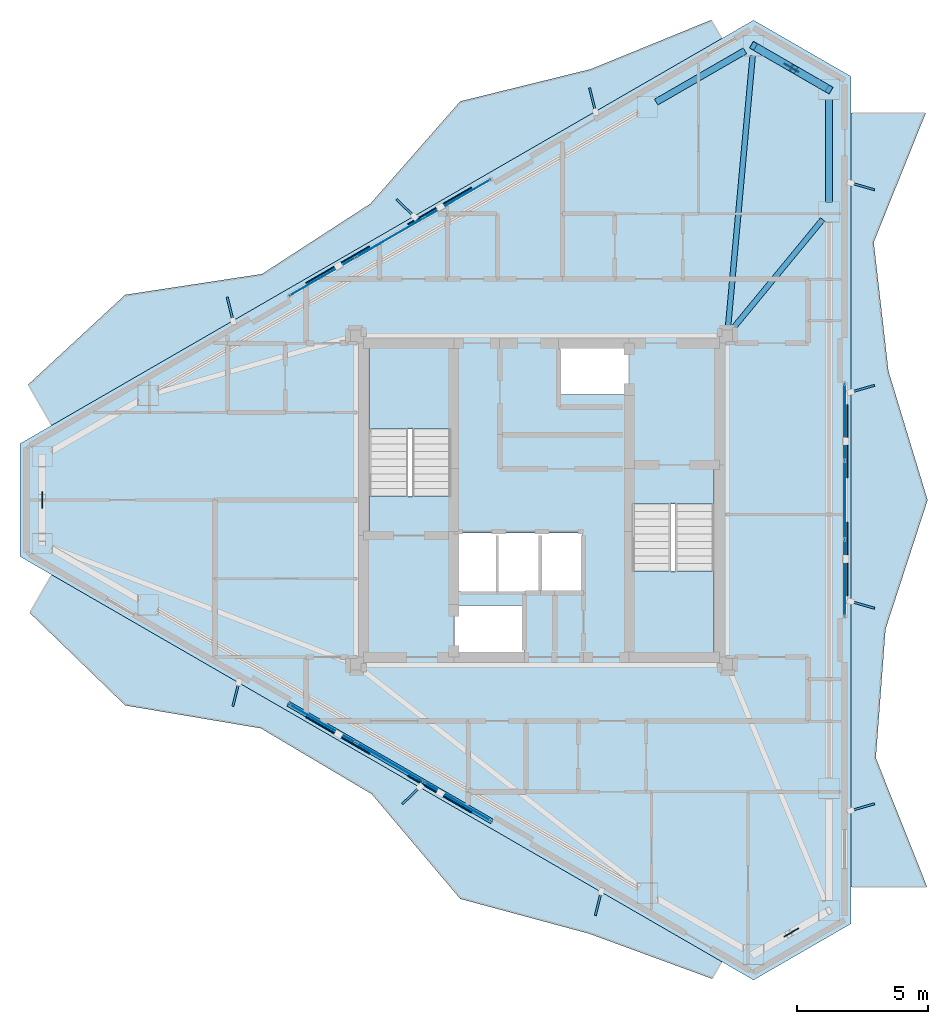
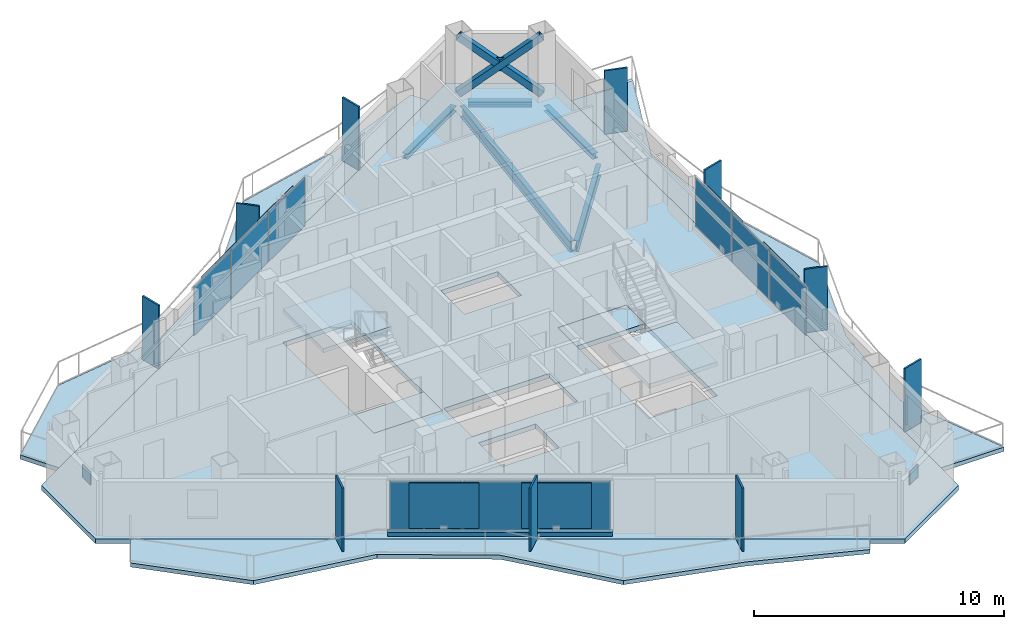
# One storey, part 15 of 22: 28 plates, 8 slabs, 5 beams, 3 members, 1 wall, 5 elements without a shape of their own.
"""IFC4 building model written with IfcOpenShell, lengths in metres."""

from ifc_helpers import new_model, si_unit, direction, frame, frame_2d, origin, origin_2d, place, context, subcontext, project, spatial, polyline, rectangle, hollow_rectangle, i_section, outline, extrude, material, layer, layer_set, material_profile, profile_set, type_object, element, aggregate, save


model = new_model("IFC4")

# Units and contexts
model_context = context("Model", 3, precision=1e-05, world=origin(), true_north=direction((0.0, 1.0)))
body_context = subcontext(model_context, "Body", "Model", "MODEL_VIEW")
ifc_project = project(units=[si_unit("LENGTHUNIT", "METRE"), si_unit("AREAUNIT", "SQUARE_METRE"), si_unit("VOLUMEUNIT", "CUBIC_METRE"), si_unit("PLANEANGLEUNIT", "RADIAN"), si_unit("MASSUNIT", "GRAM", prefix="KILO")], contexts=[model_context])

# Site, building, storey
site_placement = place(None, origin())
site = spatial("IfcSite", under=ifc_project, at=site_placement, CompositionType="ELEMENT")
building_placement = place(site_placement, origin())
building = spatial("IfcBuilding", under=site, at=building_placement, Name="Mersakhor Tower and Convention Hall", CompositionType="ELEMENT")
storey_placement = place(building_placement, frame((0.0, 0.0, 201.89990234375)))
storey = spatial("IfcBuildingStorey", under=building, at=storey_placement, Name="L56", CompositionType="ELEMENT", Elevation=201.89990234375)

# Beams
ifc_material_1 = material(Name="Steel S355", Category="steel")
ifc_material_profile_1 = material_profile(ifc_material_1, i_section(OverallWidth=0.2099609375, OverallDepth=0.53662109375, WebThickness=0.0107421875, FlangeThickness=0.017333984375, at=origin_2d()), Name="UB 533x210x101")
ifc_profile_set_1 = profile_set([ifc_material_profile_1], Name="Steel S355")
beam_type_1 = type_object("IfcBeamType", Name="BM-FB-533", PredefinedType="BEAM", material=ifc_profile_set_1)
beam_1_placement = place(storey_placement, frame((36.125244140625, 33.328857421875, -0.498291015625), z_axis=(0.090367269821, 0.99590850812, 0.0), x_axis=(-0.99590850812, 0.090367269821, 0.0)))
element("IfcBeam", 1, at=beam_1_placement, inside=storey, type_object=beam_type_1, Name="L56 Primary Floor Girder FG-2", PredefinedType="BEAM", context=body_context, shape_type="SweptSolid", body=[
    extrude(i_section(OverallWidth=0.2099609375, OverallDepth=0.53662109375, WebThickness=0.0107421875, FlangeThickness=0.017333984375, at=origin_2d()), origin(), (0.0, 0.0, 1.0), 10.45263671875),
])
beam_2_placement = place(storey_placement, frame((36.278076171875, 33.26611328125, -0.498291015625), z_axis=(0.635588076211, 0.772028365657, 0.0), x_axis=(-0.772028365657, 0.635588076211, 0.0)))
element("IfcBeam", 2, at=beam_2_placement, inside=storey, type_object=beam_type_1, Name="L56 Primary Floor Girder FG-3", PredefinedType="BEAM", context=body_context, shape_type="SweptSolid", body=[
    extrude(i_section(OverallWidth=0.2099609375, OverallDepth=0.53662109375, WebThickness=0.0107421875, FlangeThickness=0.017333984375, at=origin_2d()), origin(), (0.0, 0.0, 1.0), 5.45751953125),
])
ifc_material_2 = material(Name="Steel S355", Category="steel")
ifc_material_profile_2 = material_profile(ifc_material_2, i_section(OverallWidth=0.25634765625, OverallDepth=0.26025390625, WebThickness=0.01025390625, FlangeThickness=0.017333984375, at=origin_2d()), Name="UC 254x254x89")
ifc_profile_set_2 = profile_set([ifc_material_profile_2], Name="Steel S355")
beam_type_2 = type_object("IfcBeamType", Name="BM-SPD-UC254", PredefinedType="SPANDREL", material=ifc_profile_set_2)
beam_3_placement = place(storey_placement, frame((33.380859375, 41.967529296875, -0.360107421875), z_axis=(0.866007153761, 0.500031608635, 0.0), x_axis=(-0.500031608635, 0.866007153761, 0.0)))
element("IfcBeam", 3, at=beam_3_placement, inside=storey, type_object=beam_type_2, Name="L56 Perimeter Spandrel Beam SPB-03", PredefinedType="SPANDREL", context=body_context, shape_type="SweptSolid", body=[
    extrude(i_section(OverallWidth=0.25634765625, OverallDepth=0.26025390625, WebThickness=0.01025390625, FlangeThickness=0.017333984375, at=origin_2d()), origin(), (0.0, 0.0, 1.0), 3.919189453125),
])
beam_4_placement = place(storey_placement, frame((37.43310546875, 43.92724609375, -0.360107421875), z_axis=(0.866036909293, -0.499980071345, 0.0), x_axis=(0.499980071345, 0.866036909293, 0.0)))
element("IfcBeam", 4, at=beam_4_placement, inside=storey, type_object=beam_type_2, Name="L56 Perimeter Spandrel Beam SPB-04", PredefinedType="SPANDREL", context=body_context, shape_type="SweptSolid", body=[
    extrude(i_section(OverallWidth=0.25634765625, OverallDepth=0.26025390625, WebThickness=0.01025390625, FlangeThickness=0.017333984375, at=origin_2d()), origin(), (0.0, 0.0, 1.0), 2.5703125),
])
beam_5_placement = place(storey_placement, frame((39.98828125, 42.072021484375, -0.360107421875), z_axis=(0.0, -1.0, 0.0), x_axis=(1.0, 0.0, 0.0)))
element("IfcBeam", 5, at=beam_5_placement, inside=storey, type_object=beam_type_2, Name="L56 Perimeter Spandrel Beam SPB-05", PredefinedType="SPANDREL", context=body_context, shape_type="SweptSolid", body=[
    extrude(i_section(OverallWidth=0.25634765625, OverallDepth=0.26025390625, WebThickness=0.01025390625, FlangeThickness=0.017333984375, at=origin_2d()), origin(), (0.0, 0.0, 1.0), 3.919189453125),
])

# Members
ifc_material_3 = material(Name="Steel S355", Category="steel")
ifc_material_profile_3 = material_profile(ifc_material_3, hollow_rectangle(XDim=0.300048828125, YDim=0.300048828125, WallThickness=0.01611328125, at=origin_2d()), Name="SHS 300x300x16")
ifc_profile_set_3 = profile_set([ifc_material_profile_3], Name="Steel S355")
member_type = type_object("IfcMemberType", Name="MB-BRC-SHS300", PredefinedType="BRACE", material=ifc_profile_set_3)
member_1_placement = place(storey_placement, frame((37.10400390625, 44.1171875, 0.150146484375), z_axis=(0.665824923443, -0.384424564314, 0.639448923429), x_axis=(0.50001011158, 0.866019565782, 0.0)))
element("IfcMember", 6, at=member_1_placement, inside=storey, type_object=member_type, Name="L56 Chamfer Braced Frame Diagonal CB-1A", PredefinedType="BRACE", context=body_context, shape_type="SweptSolid", body=[
    extrude(hollow_rectangle(XDim=0.300048828125, YDim=0.300048828125, WallThickness=0.01611328125, at=origin_2d()), origin(), (0.0, 0.0, 1.0), 4.331787109375),
])
member_2_placement = place(storey_placement, frame((39.98828125, 42.451904296875, 0.150146484375), z_axis=(-0.665763296387, 0.384506307606, 0.639463941592), x_axis=(-0.500124558158, -0.865953478154, 0.0)))
element("IfcMember", 7, at=member_2_placement, inside=storey, type_object=member_type, Name="L56 Chamfer Braced Frame Diagonal CB-1B Lower Half", PredefinedType="BRACE", context=body_context, shape_type="SweptSolid", body=[
    extrude(hollow_rectangle(XDim=0.300048828125, YDim=0.300048828125, WallThickness=0.01611328125, at=origin_2d()), origin(), (0.0, 0.0, 1.0), 2.005126953125),
])
member_3_placement = place(storey_placement, frame((38.439208984375, 43.34619140625, 1.6376953125), z_axis=(-0.665779245823, 0.384445210881, 0.639484069905), x_axis=(-0.50005597947, -0.86599308161, 0.0)))
element("IfcMember", 8, at=member_3_placement, inside=storey, type_object=member_type, Name="L56 Chamfer Braced Frame Diagonal CB-1B Upper Half", PredefinedType="BRACE", context=body_context, shape_type="SweptSolid", body=[
    extrude(hollow_rectangle(XDim=0.300048828125, YDim=0.300048828125, WallThickness=0.01611328125, at=origin_2d()), origin(), (0.0, 0.0, 1.0), 2.00537109375),
])

# Curtain wall, plates
ifc_material_4 = material(Name="Dark solar low-E aluminium curtain wall", Category="aluminium")
ifc_layer_1 = layer(ifc_material_4, 0.169921875)
ifc_layer_set_1 = layer_set([ifc_layer_1], Name="Dark solar low-E aluminium curtain wall")
curtain_wall_type = type_object("IfcCurtainWallType", Name="CW-SYS-02", PredefinedType="USERDEFINED", material=ifc_layer_set_1)
curtain_wall_1_placement = place(storey_placement, origin())
curtain_wall_1 = element("IfcCurtainWall", 9, at=curtain_wall_1_placement, inside=storey, type_object=curtain_wall_type, Name="L56 Dark-Glass Curtain Wall F1-B2", ObjectType="CURTAIN WALL", PredefinedType="USERDEFINED")
ifc_material_5 = material(Name="Dark solar double glazing", Category="glass")
ifc_layer_2 = layer(ifc_material_5, 0.028076171875)
ifc_layer_set_2 = layer_set([ifc_layer_2], Name="Dark solar double glazing")
plate_type_1 = type_object("IfcPlateType", Name="CWP-GLZ-28", PredefinedType="CURTAIN_PANEL", material=ifc_layer_set_2)
plate_1_placement = place(storey_placement, frame((20.624267578125, 35.29541015625, 0.260009765625), z_axis=(0.0, 0.0, 1.0), x_axis=(0.86602088627, 0.500007824483, 0.0)))
plate_1 = element("IfcPlate", 10, at=plate_1_placement, type_object=plate_type_1, Name="CW-02 panel 1.1", PredefinedType="CURTAIN_PANEL", context=body_context, shape_type="SweptSolid", body=[
    extrude(rectangle(XDim=2.88720703125, YDim=0.028076171875, at=origin_2d()), origin(), (0.0, 0.0, 1.0), 2.3701171875),
])
plate_2_placement = place(storey_placement, frame((23.205810546875, 36.785888671875, 0.260009765625), z_axis=(0.0, 0.0, 1.0), x_axis=(0.86602088627, 0.500007824483, 0.0)))
plate_2 = element("IfcPlate", 11, at=plate_2_placement, type_object=plate_type_1, Name="CW-02 panel 2.1", PredefinedType="CURTAIN_PANEL", context=body_context, shape_type="SweptSolid", body=[
    extrude(rectangle(XDim=2.924560546875, YDim=0.028076171875, at=origin_2d()), origin(), (0.0, 0.0, 1.0), 2.3701171875),
])
plate_3_placement = place(storey_placement, frame((25.787353515625, 38.2763671875, 0.260009765625), z_axis=(0.0, 0.0, 1.0), x_axis=(0.86602088627, 0.500007824483, 0.0)))
plate_3 = element("IfcPlate", 12, at=plate_3_placement, type_object=plate_type_1, Name="CW-02 panel 3.1", PredefinedType="CURTAIN_PANEL", context=body_context, shape_type="SweptSolid", body=[
    extrude(rectangle(XDim=2.88720703125, YDim=0.028076171875, at=origin_2d()), origin(), (0.0, 0.0, 1.0), 2.3701171875),
])
aggregate(curtain_wall_1, [plate_1, plate_2, plate_3])

curtain_wall_2_placement = place(storey_placement, origin())
curtain_wall_2 = element("IfcCurtainWall", 13, at=curtain_wall_2_placement, inside=storey, type_object=curtain_wall_type, Name="L56 Dark-Glass Curtain Wall F2-B2", ObjectType="CURTAIN WALL", PredefinedType="USERDEFINED")
plate_4_placement = place(storey_placement, frame((40.58837890625, 29.73095703125, 0.260009765625), z_axis=(0.0, 0.0, 1.0), x_axis=(0.0, -1.0, 0.0)))
plate_4 = element("IfcPlate", 14, at=plate_4_placement, type_object=plate_type_1, Name="CW-02 panel 1.1", PredefinedType="CURTAIN_PANEL", context=body_context, shape_type="SweptSolid", body=[
    extrude(rectangle(XDim=2.88720703125, YDim=0.028076171875, at=origin_2d()), origin(), (0.0, 0.0, 1.0), 2.3701171875),
])
plate_5_placement = place(storey_placement, frame((40.58837890625, 26.75, 0.260009765625), z_axis=(0.0, 0.0, 1.0), x_axis=(0.0, -1.0, 0.0)))
plate_5 = element("IfcPlate", 15, at=plate_5_placement, type_object=plate_type_1, Name="CW-02 panel 2.1", PredefinedType="CURTAIN_PANEL", context=body_context, shape_type="SweptSolid", body=[
    extrude(rectangle(XDim=2.924560546875, YDim=0.028076171875, at=origin_2d()), origin(), (0.0, 0.0, 1.0), 2.3701171875),
])
plate_6_placement = place(storey_placement, frame((40.58837890625, 23.76904296875, 0.260009765625), z_axis=(0.0, 0.0, 1.0), x_axis=(0.0, -1.0, 0.0)))
plate_6 = element("IfcPlate", 16, at=plate_6_placement, type_object=plate_type_1, Name="CW-02 panel 3.1", PredefinedType="CURTAIN_PANEL", context=body_context, shape_type="SweptSolid", body=[
    extrude(rectangle(XDim=2.88720703125, YDim=0.028076171875, at=origin_2d()), origin(), (0.0, 0.0, 1.0), 2.3701171875),
])
aggregate(curtain_wall_2, [plate_4, plate_5, plate_6])

curtain_wall_3_placement = place(storey_placement, origin())
curtain_wall_3 = element("IfcCurtainWall", 17, at=curtain_wall_3_placement, inside=storey, type_object=curtain_wall_type, Name="L56 Dark-Glass Curtain Wall F3-B2", ObjectType="CURTAIN WALL", PredefinedType="USERDEFINED")
plate_7_placement = place(storey_placement, frame((25.787353515625, 15.2236328125, 0.260009765625), z_axis=(0.0, 0.0, 1.0), x_axis=(-0.86602088627, 0.500007824483, 0.0)))
plate_7 = element("IfcPlate", 18, at=plate_7_placement, type_object=plate_type_1, Name="CW-02 panel 1.1", PredefinedType="CURTAIN_PANEL", context=body_context, shape_type="SweptSolid", body=[
    extrude(rectangle(XDim=2.88720703125, YDim=0.028076171875, at=origin_2d()), origin(), (0.0, 0.0, 1.0), 2.3701171875),
])
plate_8_placement = place(storey_placement, frame((23.205810546875, 16.714111328125, 0.260009765625), z_axis=(0.0, 0.0, 1.0), x_axis=(-0.86602088627, 0.500007824483, 0.0)))
plate_8 = element("IfcPlate", 19, at=plate_8_placement, type_object=plate_type_1, Name="CW-02 panel 2.1", PredefinedType="CURTAIN_PANEL", context=body_context, shape_type="SweptSolid", body=[
    extrude(rectangle(XDim=2.924560546875, YDim=0.028076171875, at=origin_2d()), origin(), (0.0, 0.0, 1.0), 2.3701171875),
])
plate_9_placement = place(storey_placement, frame((20.624267578125, 18.20458984375, 0.260009765625), z_axis=(0.0, 0.0, 1.0), x_axis=(-0.86602088627, 0.500007824483, 0.0)))
plate_9 = element("IfcPlate", 20, at=plate_9_placement, type_object=plate_type_1, Name="CW-02 panel 3.1", PredefinedType="CURTAIN_PANEL", context=body_context, shape_type="SweptSolid", body=[
    extrude(rectangle(XDim=2.88720703125, YDim=0.028076171875, at=origin_2d()), origin(), (0.0, 0.0, 1.0), 2.3701171875),
])
aggregate(curtain_wall_3, [plate_7, plate_8, plate_9])

# Plates
ifc_material_6 = material(Name="Ceramic-clad aluminium Zone 4 terracotta-coral", Category="masonry")
ifc_material_7 = material(Name="Ceramic-clad aluminium Zone 1 cobalt-slate", Category="masonry")
ifc_layer_3 = layer(ifc_material_7, 0.080078125)
ifc_layer_set_3 = layer_set([ifc_layer_3], Name="Ceramic-clad aluminium Zone 1 cobalt-slate")
plate_type_2 = type_object("IfcPlateType", Name="PL-FIN-80", PredefinedType="USERDEFINED", material=ifc_layer_set_3)
for number, where, z_axis, x_axis, name in (
    (21, (17.09326171875, 34.049560546875, 0.0), (0.0, 0.0, 1.0), (-0.2419218956, 0.970295726276, 0.0), "L56 Zone 4 Coloured Brise-Soleil Fin F1-1"),
    (22, (23.794677734375, 37.918701171875, 0.0), (0.0, 0.0, 1.0), (-0.719339800339, 0.694658370459, 0.0), "L56 Zone 4 Coloured Brise-Soleil Fin F1-2"),
    (23, (30.94970703125, 42.049560546875, 0.0), (0.0, 0.0, 1.0), (-0.2419218956, 0.970295726276, 0.0), "L56 Zone 4 Coloured Brise-Soleil Fin F1-3"),
    (24, (41.27490234375, 38.7451171875, 0.0), (0.0, 0.0, 1.0), (0.961261695938, -0.275637355817, 0.0), "L56 Zone 4 Coloured Brise-Soleil Fin F2-1"),
    (25, (41.27490234375, 31.007080078125, 0.0), (0.0, 0.0, 1.0), (0.961261695938, 0.275637355817, 0.0), "L56 Zone 4 Coloured Brise-Soleil Fin F2-2"),
    (26, (41.27490234375, 22.7451171875, 0.0), (0.0, 0.0, 1.0), (0.961261695938, -0.275637355817, 0.0), "L56 Zone 4 Coloured Brise-Soleil Fin F2-3"),
    (27, (41.27490234375, 15.007080078125, 0.0), (0.0, 0.0, 1.0), (0.961261695938, 0.275637355817, 0.0), "L56 Zone 4 Coloured Brise-Soleil Fin F2-4"),
    (28, (31.16796875, 11.324462890625, 0.0), (0.0, 0.0, 1.0), (-0.2419218956, -0.970295726276, 0.0), "L56 Zone 4 Coloured Brise-Soleil Fin F3-1"),
    (29, (24.012939453125, 15.455322265625, 0.0), (0.0, 0.0, 1.0), (-0.719339800339, -0.694658370459, 0.0), "L56 Zone 4 Coloured Brise-Soleil Fin F3-2"),
    (30, (17.3115234375, 19.324462890625, 0.0), (0.0, 0.0, 1.0), (-0.2419218956, -0.970295726276, 0.0), "L56 Zone 4 Coloured Brise-Soleil Fin F3-3"),
):
    element("IfcPlate", number, at=place(storey_placement, frame(where, z_axis=z_axis, x_axis=x_axis)), inside=storey, type_object=plate_type_2, material=ifc_material_6, Name=name, ObjectType="FIN", PredefinedType="USERDEFINED", context=body_context, shape_type="SweptSolid", body=[
        extrude(rectangle(XDim=0.949951171875, YDim=0.080078125, at=origin_2d()), origin(), (0.0, 0.0, 1.0), 3.10009765625),
    ])
ifc_material_8 = material(Name="Steel S460", Category="steel")
ifc_layer_4 = layer(ifc_material_8, 0.0400390625)
ifc_layer_set_4 = layer_set([ifc_layer_4], Name="Steel S460")
plate_type_3 = type_object("IfcPlateType", Name="PL-GUSSET-40", PredefinedType="SHEET", material=ifc_layer_set_4)
for number, where, z_axis, x_axis, name in (
    (31, (38.54638671875, 43.28466796875, 1.21533203125), (0.0, 0.0, 1.0), (-0.866025403784, 0.5, 0.0), "L56 X-Brace Crossing Gusset Node Plate"),
    (32, (38.54638671875, 10.21533203125, 1.21533203125), (0.0, 0.0, 1.0), (0.866025403784, 0.5, 0.0), "L56 X-Brace Crossing Gusset Node Plate"),
    (33, (9.907470703125, 26.75, 1.21533203125), (0.0, 0.0, 1.0), (0.0, -1.0, 0.0), "L56 X-Brace Crossing Gusset Node Plate"),
):
    element("IfcPlate", number, at=place(storey_placement, frame(where, z_axis=z_axis, x_axis=x_axis)), inside=storey, type_object=plate_type_3, Name=name, PredefinedType="SHEET", context=body_context, shape_type="SweptSolid", body=[
        extrude(rectangle(XDim=0.639892578125, YDim=0.0400390625, at=origin_2d()), origin(), (0.0, 0.0, 1.0), 0.639892578125),
    ])
ifc_material_9 = material(Name="Perforated ceramic cobogo solar screen", Category="aluminium")
ifc_layer_5 = layer(ifc_material_9, 0.048095703125)
ifc_layer_set_5 = layer_set([ifc_layer_5], Name="Perforated ceramic cobogo solar screen")
plate_type_4 = type_object("IfcPlateType", Name="PL-SCR-48", PredefinedType="USERDEFINED", material=ifc_layer_set_5)
for number, where, z_axis, x_axis, name in (
    (34, (21.21044921875, 35.742431640625, 0.39990234375), (0.0, 0.0, 1.0), (0.866025403784, 0.5, 0.0), "L56 Perforated Ceramic Solar Screen F1-1"),
    (35, (25.107177734375, 37.9921875, 0.39990234375), (0.0, 0.0, 1.0), (0.866025403784, 0.5, 0.0), "L56 Perforated Ceramic Solar Screen F1-2"),
    (36, (40.682373046875, 28.999755859375, 0.39990234375), (0.0, 0.0, 1.0), (0.0, -1.0, 0.0), "L56 Perforated Ceramic Solar Screen F2-1"),
    (37, (40.682373046875, 24.500244140625, 0.39990234375), (0.0, 0.0, 1.0), (0.0, -1.0, 0.0), "L56 Perforated Ceramic Solar Screen F2-2"),
    (38, (25.107177734375, 15.5078125, 0.39990234375), (0.0, 0.0, 1.0), (-0.866025403784, 0.5, 0.0), "L56 Perforated Ceramic Solar Screen F3-1"),
    (39, (21.21044921875, 17.757568359375, 0.39990234375), (0.0, 0.0, 1.0), (-0.866025403784, 0.5, 0.0), "L56 Perforated Ceramic Solar Screen F3-2"),
):
    element("IfcPlate", number, at=place(storey_placement, frame(where, z_axis=z_axis, x_axis=x_axis)), inside=storey, type_object=plate_type_4, Name=name, ObjectType="SCREEN", PredefinedType="USERDEFINED", context=body_context, shape_type="SweptSolid", body=[
        extrude(rectangle(XDim=2.800048828125, YDim=0.048095703125, at=origin_2d()), origin(), (0.0, 0.0, 1.0), 2.239990234375),
    ])

# Slabs
ifc_material_10 = material(Name="Concrete C45/55", Category="concrete")
ifc_layer_6 = layer(ifc_material_10, 0.199951171875)
ifc_layer_set_6 = layer_set([ifc_layer_6], Name="Concrete C45/55")
slab_type_1 = type_object("IfcSlabType", Name="SL-BAL-200", PredefinedType="FLOOR", material=ifc_layer_set_6)
slab_1_placement = place(storey_placement, frame((0.0, 0.0, -0.199951171875)))
element("IfcSlab", 40, at=slab_1_placement, inside=storey, type_object=slab_type_1, Name="L56 Sinusoidal Balcony Slab Face 1", PredefinedType="FLOOR", context=body_context, shape_type="SweptSolid", body=[
    extrude(outline(polyline([(10.27001953125, 29.60595703125), (35.8916015625, 44.398681640625), (35.483154296875, 45.106201171875), (30.875244140625, 43.2255859375), (25.89111328125, 41.99658203125), (22.45703125, 38.082763671875), (18.314453125, 35.39599609375), (13.080078125, 34.60009765625), (9.369873046875, 31.164794921875), (10.27001953125, 29.60595703125)])), origin(), (0.0, 0.0, 1.0), 0.199951171875),
])
slab_2_placement = place(storey_placement, frame((0.0, 0.0, -0.199951171875)))
element("IfcSlab", 41, at=slab_2_placement, inside=storey, type_object=slab_type_1, Name="L56 Sinusoidal Balcony Slab Face 2", PredefinedType="FLOOR", context=body_context, shape_type="SweptSolid", body=[
    extrude(outline(polyline([(40.83837890625, 41.542724609375), (40.83837890625, 11.957275390625), (43.740966796875, 11.957275390625), (41.77880859375, 16.88818359375), (42.150390625, 21.819091796875), (43.75830078125, 26.75), (42.26220703125, 31.680908203125), (41.69873046875, 36.61181640625), (43.686279296875, 41.542724609375), (40.83837890625, 41.542724609375)])), origin(), (0.0, 0.0, 1.0), 0.199951171875),
])
slab_3_placement = place(storey_placement, frame((0.0, 0.0, -0.199951171875)))
element("IfcSlab", 42, at=slab_3_placement, inside=storey, type_object=slab_type_1, Name="L56 Sinusoidal Balcony Slab Face 3", PredefinedType="FLOOR", context=body_context, shape_type="SweptSolid", body=[
    extrude(outline(polyline([(35.8916015625, 9.101318359375), (10.27001953125, 23.89404296875), (9.4296875, 22.438720703125), (13.080078125, 18.89990234375), (18.26806640625, 18.0234375), (22.5087890625, 15.507080078125), (25.89111328125, 11.50341796875), (30.816650390625, 10.1728515625), (35.515625, 8.449951171875), (35.8916015625, 9.101318359375)])), origin(), (0.0, 0.0, 1.0), 0.199951171875),
])
ifc_material_11 = material(Name="Concrete C40/50", Category="concrete")
ifc_layer_7 = layer(ifc_material_11, 0.22998046875)
ifc_layer_set_7 = layer_set([ifc_layer_7], Name="Concrete C40/50")
slab_type_2 = type_object("IfcSlabType", Name="SL-FLR-230", PredefinedType="FLOOR", material=ifc_layer_set_7)
slab_4_placement = place(storey_placement, frame((0.0, 0.0, -0.22998046875)))
element("IfcSlab", 43, at=slab_4_placement, inside=storey, type_object=slab_type_2, Name="L56 ST-1 Structural Stair Floor Landing", PredefinedType="LANDING", context=body_context, shape_type="SweptSolid", body=[
    extrude(outline(polyline([(25.550048828125, 25.39990234375), (25.550048828125, 26.89990234375), (22.39990234375, 26.89990234375), (22.39990234375, 25.39990234375), (25.550048828125, 25.39990234375)])), origin(), (0.0, 0.0, 1.0), 0.22998046875),
])
slab_5_placement = place(storey_placement, frame((0.0, 0.0, -0.22998046875)))
element("IfcSlab", 44, at=slab_5_placement, inside=storey, type_object=slab_type_2, Name="L56 ST-2 Structural Stair Floor Landing", PredefinedType="LANDING", context=body_context, shape_type="SweptSolid", body=[
    extrude(outline(polyline([(32.449951171875, 28.10009765625), (32.449951171875, 26.60009765625), (35.60009765625, 26.60009765625), (35.60009765625, 28.10009765625), (32.449951171875, 28.10009765625)])), origin(), (0.0, 0.0, 1.0), 0.22998046875),
])
slab_6_placement = place(storey_placement, frame((0.0, 0.0, -0.22998046875)))
element("IfcSlab", 45, at=slab_6_placement, inside=storey, type_object=slab_type_2, Name="Tower L56 Structural Floor Slab", PredefinedType="FLOOR", context=body_context, shape_type="SweptSolid", body=[
    extrude(outline(polyline([(9.0576171875, 28.906005859375), (37.10400390625, 45.0986328125), (40.83837890625, 42.942626953125), (40.83837890625, 10.557373046875), (37.10400390625, 8.4013671875), (9.0576171875, 24.593994140625), (9.0576171875, 28.906005859375)]), holes=[polyline([(25.550048828125, 25.39990234375), (25.550048828125, 32.699951171875), (22.39990234375, 32.699951171875), (22.39990234375, 25.39990234375), (25.550048828125, 25.39990234375)]), polyline([(32.449951171875, 28.10009765625), (32.449951171875, 20.800048828125), (35.60009765625, 20.800048828125), (35.60009765625, 28.10009765625), (32.449951171875, 28.10009765625)]), polyline([(25.679931640625, 20.820068359375), (25.679931640625, 22.719970703125), (28.320068359375, 22.719970703125), (28.320068359375, 20.820068359375), (25.679931640625, 20.820068359375)]), polyline([(29.679931640625, 30.780029296875), (29.679931640625, 32.679931640625), (32.320068359375, 32.679931640625), (32.320068359375, 30.780029296875), (29.679931640625, 30.780029296875)]), polyline([(25.679931640625, 23.25), (25.679931640625, 25.5), (30.570068359375, 25.5), (30.570068359375, 23.25), (25.679931640625, 23.25)])]), origin(), (0.0, 0.0, 1.0), 0.22998046875),
])

# Stair, slab
ifc_material_12 = material(Name="Concrete C45/55", Category="concrete")
stair_type = type_object("IfcStairType", Name="ST-TWR-20R", PredefinedType="HALF_TURN_STAIR", material=ifc_material_12)
stair_1_placement = place(storey_placement, origin())
stair_1 = element("IfcStair", 46, at=stair_1_placement, inside=storey, type_object=stair_type, Name="L56 Tower Protected Exit Stair ST-1", PredefinedType="HALF_TURN_STAIR")
ifc_material_13 = material(Name="Concrete C45/55", Category="concrete")
ifc_layer_8 = layer(ifc_material_13, 0.199951171875)
ifc_layer_set_8 = layer_set([ifc_layer_8], Name="Concrete C45/55")
slab_type_3 = type_object("IfcSlabType", Name="SL-LAND-200", PredefinedType="LANDING", material=ifc_layer_set_8)
slab_7_placement = place(storey_placement, frame((0.0, 0.0, 1.4501953125)))
slab_7 = element("IfcSlab", 47, at=slab_7_placement, type_object=slab_type_3, Name="ST-1 landing 1", PredefinedType="LANDING", context=body_context, shape_type="SweptSolid", body=[
    extrude(outline(polyline([(25.550048828125, 29.465087890625), (25.550048828125, 32.699951171875), (22.39990234375, 32.699951171875), (22.39990234375, 29.465087890625), (25.550048828125, 29.465087890625)])), origin(), (0.0, 0.0, 1.0), 0.199951171875),
])
aggregate(stair_1, [slab_7])

stair_2_placement = place(storey_placement, origin())
stair_2 = element("IfcStair", 48, at=stair_2_placement, inside=storey, type_object=stair_type, Name="L56 Tower Protected Exit Stair ST-2", PredefinedType="HALF_TURN_STAIR")
slab_8_placement = place(storey_placement, frame((0.0, 0.0, 1.4501953125)))
slab_8 = element("IfcSlab", 49, at=slab_8_placement, type_object=slab_type_3, Name="ST-2 landing 1", PredefinedType="LANDING", context=body_context, shape_type="SweptSolid", body=[
    extrude(outline(polyline([(32.449951171875, 24.034912109375), (32.449951171875, 20.800048828125), (35.60009765625, 20.800048828125), (35.60009765625, 24.034912109375), (32.449951171875, 24.034912109375)])), origin(), (0.0, 0.0, 1.0), 0.199951171875),
])
aggregate(stair_2, [slab_8])

# Wall
ifc_material_14 = material(Name="Precast concrete C40/50", Category="concrete")
ifc_layer_9 = layer(ifc_material_14, 0.199951171875)
ifc_layer_set_9 = layer_set([ifc_layer_9], Name="Precast concrete C40/50")
wall_type = type_object("IfcWallType", Name="WL-PAR-200", PredefinedType="PARAPET", material=ifc_layer_set_9)
wall_placement = place(storey_placement, frame((27.102294921875, 14.46435546875, 0.0), z_axis=(0.0, 0.0, 1.0), x_axis=(-0.866020680503, 0.500008180874, 0.0)))
element("IfcWall", 50, at=wall_placement, inside=storey, type_object=wall_type, Name="L56 Curtain Wall Upstand Sill F3-B2", PredefinedType="PARAPET", context=body_context, shape_type="SweptSolid", body=[
    extrude(rectangle(XDim=8.998779296875, YDim=0.199951171875, at=frame_2d((4.49951171875, 0.0))), origin(), (0.0, 0.0, 1.0), 0.2001953125),
])

save(model, "model.ifc")
